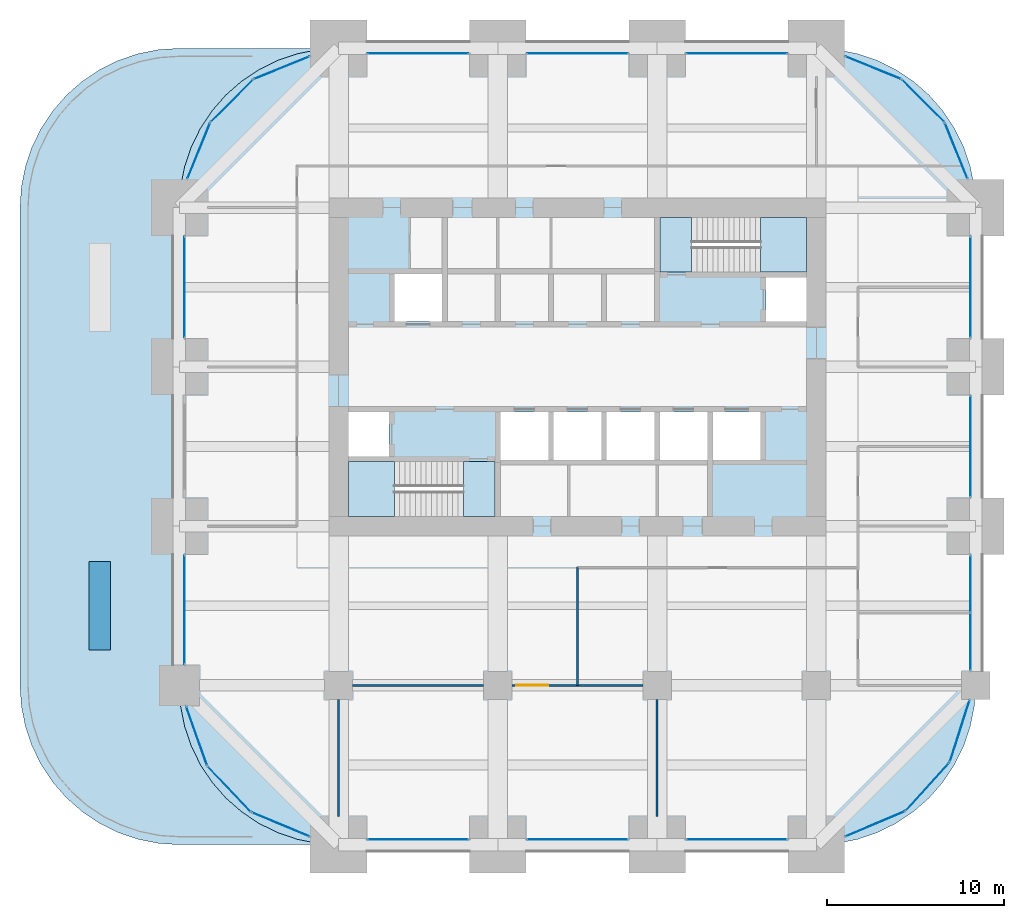
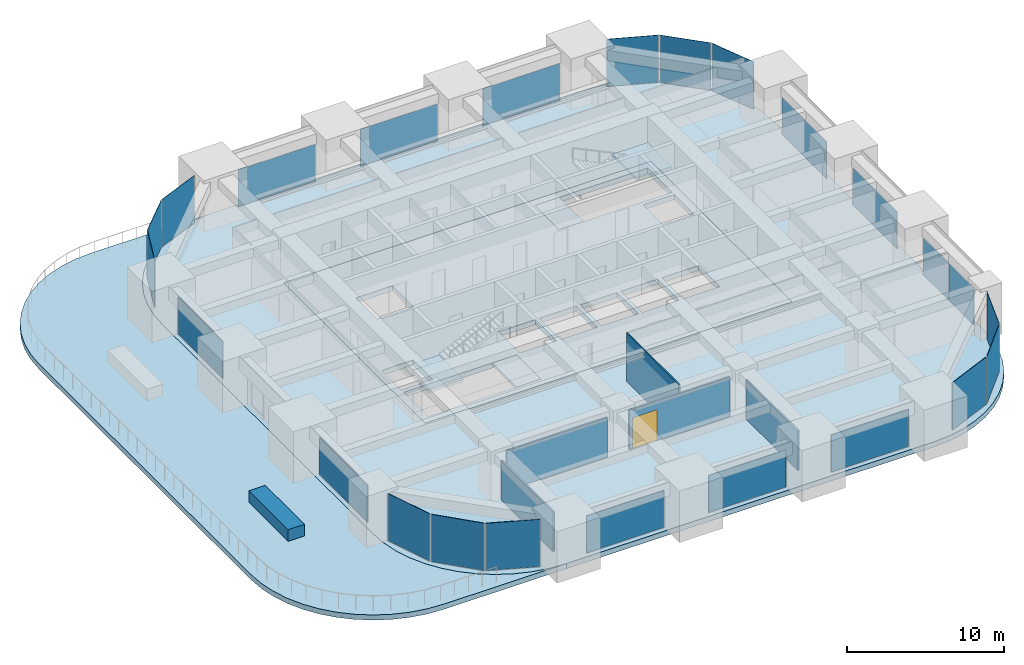
# One storey, part 35 of 40: 24 plates, 7 slabs, 6 walls, 1 door, 1 opening, 25 elements without a shape of their own.
"""IFC4 building model written with IfcOpenShell, lengths in metres."""

from ifc_helpers import new_model, si_unit, direction, frame, frame_2d, origin, origin_2d, place, context, subcontext, project, spatial, polyline, rectangle, outline, extrude, material, layer, layer_set, type_object, element, fill, aggregate, save


model = new_model("IFC4")

# Units and contexts
model_context = context("Model", 3, precision=1e-05, world=origin(), true_north=direction((0.0, 1.0)))
body_context = subcontext(model_context, "Body", "Model", "MODEL_VIEW")
ifc_project = project(units=[si_unit("LENGTHUNIT", "METRE"), si_unit("AREAUNIT", "SQUARE_METRE"), si_unit("VOLUMEUNIT", "CUBIC_METRE"), si_unit("PLANEANGLEUNIT", "RADIAN"), si_unit("MASSUNIT", "GRAM", prefix="KILO")], contexts=[model_context])

# Site, building, storey
site_placement = place(None, origin())
site = spatial("IfcSite", under=ifc_project, at=site_placement, CompositionType="ELEMENT")
building_placement = place(site_placement, origin())
building = spatial("IfcBuilding", under=site, at=building_placement, Name="Zorevar Civic Tower", CompositionType="ELEMENT")
storey_placement = place(building_placement, frame((0.0, 0.0, 239.39990234375)))
storey = spatial("IfcBuildingStorey", under=building, at=storey_placement, Name="L58", CompositionType="ELEMENT", Elevation=239.39990234375)

# Curtain wall, plate
ifc_material_1 = material(Name="Dark grey solar-control glass in black aluminium frame", Category="aluminium")
curtain_wall_type = type_object("IfcCurtainWallType", Name="Curtain wall CW5 top zone", PredefinedType="NOTDEFINED", material=ifc_material_1)
curtain_wall_1_placement = place(storey_placement, origin())
curtain_wall_1 = element("IfcCurtainWall", 1, at=curtain_wall_1_placement, inside=storey, type_object=curtain_wall_type, Name="CW5 L58", PredefinedType="NOTDEFINED")
ifc_material_2 = material(Name="Dark grey solar-control glass", Category="glass")
ifc_layer_1 = layer(ifc_material_2, 0.028076171875)
ifc_layer_set_1 = layer_set([ifc_layer_1], Name="CW5 panel 28")
plate_type = type_object("IfcPlateType", Name="CW5 panel 28", PredefinedType="CURTAIN_PANEL", material=ifc_layer_set_1)
plate_1_placement = place(storey_placement, frame((22.5, 0.300048828125, 0.06005859375), z_axis=(0.0, 0.0, 1.0), x_axis=(1.0, 0.0, 0.0)))
plate_1 = element("IfcPlate", 2, at=plate_1_placement, type_object=plate_type, Name="CW5 panel 1.1", PredefinedType="CURTAIN_PANEL", context=body_context, shape_type="SweptSolid", body=[
    extrude(rectangle(XDim=5.679931640625, YDim=0.028076171875, at=origin_2d()), origin(), (0.0, 0.0, 1.0), 2.889892578125),
])
aggregate(curtain_wall_1, [plate_1])

curtain_wall_2_placement = place(storey_placement, origin())
curtain_wall_2 = element("IfcCurtainWall", 3, at=curtain_wall_2_placement, inside=storey, type_object=curtain_wall_type, Name="CW5 L58", PredefinedType="NOTDEFINED")
plate_2_placement = place(storey_placement, frame((22.5, 44.699951171875, 0.06005859375), z_axis=(0.0, 0.0, 1.0), x_axis=(1.0, 0.0, 0.0)))
plate_2 = element("IfcPlate", 4, at=plate_2_placement, type_object=plate_type, Name="CW5 panel 1.1", PredefinedType="CURTAIN_PANEL", context=body_context, shape_type="SweptSolid", body=[
    extrude(rectangle(XDim=5.679931640625, YDim=0.028076171875, at=origin_2d()), origin(), (0.0, 0.0, 1.0), 2.889892578125),
])
aggregate(curtain_wall_2, [plate_2])

curtain_wall_3_placement = place(storey_placement, origin())
curtain_wall_3 = element("IfcCurtainWall", 5, at=curtain_wall_3_placement, inside=storey, type_object=curtain_wall_type, Name="CW5 L58", PredefinedType="NOTDEFINED")
plate_3_placement = place(storey_placement, frame((31.5, 0.300048828125, 0.06005859375), z_axis=(0.0, 0.0, 1.0), x_axis=(1.0, 0.0, 0.0)))
plate_3 = element("IfcPlate", 6, at=plate_3_placement, type_object=plate_type, Name="CW5 panel 1.1", PredefinedType="CURTAIN_PANEL", context=body_context, shape_type="SweptSolid", body=[
    extrude(rectangle(XDim=5.679931640625, YDim=0.028076171875, at=origin_2d()), origin(), (0.0, 0.0, 1.0), 2.889892578125),
])
aggregate(curtain_wall_3, [plate_3])

curtain_wall_4_placement = place(storey_placement, origin())
curtain_wall_4 = element("IfcCurtainWall", 7, at=curtain_wall_4_placement, inside=storey, type_object=curtain_wall_type, Name="CW5 L58", PredefinedType="NOTDEFINED")
plate_4_placement = place(storey_placement, frame((31.5, 44.699951171875, 0.06005859375), z_axis=(0.0, 0.0, 1.0), x_axis=(1.0, 0.0, 0.0)))
plate_4 = element("IfcPlate", 8, at=plate_4_placement, type_object=plate_type, Name="CW5 panel 1.1", PredefinedType="CURTAIN_PANEL", context=body_context, shape_type="SweptSolid", body=[
    extrude(rectangle(XDim=5.679931640625, YDim=0.028076171875, at=origin_2d()), origin(), (0.0, 0.0, 1.0), 2.889892578125),
])
aggregate(curtain_wall_4, [plate_4])

curtain_wall_5_placement = place(storey_placement, origin())
curtain_wall_5 = element("IfcCurtainWall", 9, at=curtain_wall_5_placement, inside=storey, type_object=curtain_wall_type, Name="CW5 L58", PredefinedType="NOTDEFINED")
plate_5_placement = place(storey_placement, frame((40.5, 0.300048828125, 0.06005859375), z_axis=(0.0, 0.0, 1.0), x_axis=(1.0, 0.0, 0.0)))
plate_5 = element("IfcPlate", 10, at=plate_5_placement, type_object=plate_type, Name="CW5 panel 1.1", PredefinedType="CURTAIN_PANEL", context=body_context, shape_type="SweptSolid", body=[
    extrude(rectangle(XDim=5.679931640625, YDim=0.028076171875, at=origin_2d()), origin(), (0.0, 0.0, 1.0), 2.889892578125),
])
aggregate(curtain_wall_5, [plate_5])

curtain_wall_6_placement = place(storey_placement, origin())
curtain_wall_6 = element("IfcCurtainWall", 11, at=curtain_wall_6_placement, inside=storey, type_object=curtain_wall_type, Name="CW5 L58", PredefinedType="NOTDEFINED")
plate_6_placement = place(storey_placement, frame((40.5, 44.699951171875, 0.06005859375), z_axis=(0.0, 0.0, 1.0), x_axis=(1.0, 0.0, 0.0)))
plate_6 = element("IfcPlate", 12, at=plate_6_placement, type_object=plate_type, Name="CW5 panel 1.1", PredefinedType="CURTAIN_PANEL", context=body_context, shape_type="SweptSolid", body=[
    extrude(rectangle(XDim=5.679931640625, YDim=0.028076171875, at=origin_2d()), origin(), (0.0, 0.0, 1.0), 2.889892578125),
])
aggregate(curtain_wall_6, [plate_6])

curtain_wall_7_placement = place(storey_placement, origin())
curtain_wall_7 = element("IfcCurtainWall", 13, at=curtain_wall_7_placement, inside=storey, type_object=curtain_wall_type, Name="CW5 L58", PredefinedType="NOTDEFINED")
plate_7_placement = place(storey_placement, frame((9.300048828125, 13.27490234375, 0.06005859375), z_axis=(0.0, 0.0, 1.0), x_axis=(0.0, 1.0, 0.0)))
plate_7 = element("IfcPlate", 14, at=plate_7_placement, type_object=plate_type, Name="CW5 panel 1.1", PredefinedType="CURTAIN_PANEL", context=body_context, shape_type="SweptSolid", body=[
    extrude(rectangle(XDim=6.1298828125, YDim=0.028076171875, at=origin_2d()), origin(), (0.0, 0.0, 1.0), 2.889892578125),
])
aggregate(curtain_wall_7, [plate_7])

# Curtain wall, plates
curtain_wall_8_placement = place(storey_placement, origin())
curtain_wall_8 = element("IfcCurtainWall", 15, at=curtain_wall_8_placement, inside=storey, type_object=curtain_wall_type, Name="CW5 L58", PredefinedType="NOTDEFINED")
plate_8_placement = place(storey_placement, frame((53.699951171875, 11.465087890625, 0.06005859375), z_axis=(0.0, 0.0, 1.0), x_axis=(0.0, 1.0, 0.0)))
plate_8 = element("IfcPlate", 16, at=plate_8_placement, type_object=plate_type, Name="CW5 panel 1.1", PredefinedType="CURTAIN_PANEL", context=body_context, shape_type="SweptSolid", body=[
    extrude(rectangle(XDim=3.2099609375, YDim=0.028076171875, at=origin_2d()), origin(), (0.0, 0.0, 1.0), 2.889892578125),
])
plate_9_placement = place(storey_placement, frame((53.699951171875, 14.735107421875, 0.06005859375), z_axis=(0.0, 0.0, 1.0), x_axis=(0.0, 1.0, 0.0)))
plate_9 = element("IfcPlate", 17, at=plate_9_placement, type_object=plate_type, Name="CW5 panel 2.1", PredefinedType="CURTAIN_PANEL", context=body_context, shape_type="SweptSolid", body=[
    extrude(rectangle(XDim=3.2099609375, YDim=0.028076171875, at=origin_2d()), origin(), (0.0, 0.0, 1.0), 2.889892578125),
])
aggregate(curtain_wall_8, [plate_8, plate_9])

# Curtain wall, plate
curtain_wall_9_placement = place(storey_placement, origin())
curtain_wall_9 = element("IfcCurtainWall", 18, at=curtain_wall_9_placement, inside=storey, type_object=curtain_wall_type, Name="CW5 L58", PredefinedType="NOTDEFINED")
plate_10_placement = place(storey_placement, frame((53.699951171875, 22.5, 0.06005859375), z_axis=(0.0, 0.0, 1.0), x_axis=(0.0, 1.0, 0.0)))
plate_10 = element("IfcPlate", 19, at=plate_10_placement, type_object=plate_type, Name="CW5 panel 1.1", PredefinedType="CURTAIN_PANEL", context=body_context, shape_type="SweptSolid", body=[
    extrude(rectangle(XDim=5.679931640625, YDim=0.028076171875, at=origin_2d()), origin(), (0.0, 0.0, 1.0), 2.889892578125),
])
aggregate(curtain_wall_9, [plate_10])

curtain_wall_10_placement = place(storey_placement, origin())
curtain_wall_10 = element("IfcCurtainWall", 20, at=curtain_wall_10_placement, inside=storey, type_object=curtain_wall_type, Name="CW5 L58", PredefinedType="NOTDEFINED")
plate_11_placement = place(storey_placement, frame((9.300048828125, 31.5, 0.06005859375), z_axis=(0.0, 0.0, 1.0), x_axis=(0.0, 1.0, 0.0)))
plate_11 = element("IfcPlate", 21, at=plate_11_placement, type_object=plate_type, Name="CW5 panel 1.1", PredefinedType="CURTAIN_PANEL", context=body_context, shape_type="SweptSolid", body=[
    extrude(rectangle(XDim=5.679931640625, YDim=0.028076171875, at=origin_2d()), origin(), (0.0, 0.0, 1.0), 2.889892578125),
])
aggregate(curtain_wall_10, [plate_11])

curtain_wall_11_placement = place(storey_placement, origin())
curtain_wall_11 = element("IfcCurtainWall", 22, at=curtain_wall_11_placement, inside=storey, type_object=curtain_wall_type, Name="CW5 L58", PredefinedType="NOTDEFINED")
plate_12_placement = place(storey_placement, frame((53.699951171875, 31.5, 0.06005859375), z_axis=(0.0, 0.0, 1.0), x_axis=(0.0, 1.0, 0.0)))
plate_12 = element("IfcPlate", 23, at=plate_12_placement, type_object=plate_type, Name="CW5 panel 1.1", PredefinedType="CURTAIN_PANEL", context=body_context, shape_type="SweptSolid", body=[
    extrude(rectangle(XDim=5.679931640625, YDim=0.028076171875, at=origin_2d()), origin(), (0.0, 0.0, 1.0), 2.889892578125),
])
aggregate(curtain_wall_11, [plate_12])

curtain_wall_12_placement = place(storey_placement, origin())
curtain_wall_12 = element("IfcCurtainWall", 24, at=curtain_wall_12_placement, inside=storey, type_object=curtain_wall_type, Name="CW5 L58", PredefinedType="NOTDEFINED")
plate_13_placement = place(storey_placement, frame((48.31396484375, 1.17431640625, 0.06005859375), z_axis=(0.0, 0.0, 1.0), x_axis=(0.920829589054, 0.389965213734, 0.0)))
plate_13 = element("IfcPlate", 25, at=plate_13_placement, type_object=plate_type, Name="CW5 panel 1.1", PredefinedType="CURTAIN_PANEL", context=body_context, shape_type="SweptSolid", body=[
    extrude(rectangle(XDim=3.602783203125, YDim=0.028076171875, at=origin_2d()), origin(), (0.0, 0.0, 1.0), 3.68994140625),
])
aggregate(curtain_wall_12, [plate_13])

curtain_wall_13_placement = place(storey_placement, origin())
curtain_wall_13 = element("IfcCurtainWall", 26, at=curtain_wall_13_placement, inside=storey, type_object=curtain_wall_type, Name="CW5 L58", PredefinedType="NOTDEFINED")
plate_14_placement = place(storey_placement, frame((51.28173828125, 3.276123046875, 0.06005859375), z_axis=(0.0, 0.0, 1.0), x_axis=(0.673532686252, 0.739157439623, 0.0)))
plate_14 = element("IfcPlate", 27, at=plate_14_placement, type_object=plate_type, Name="CW5 panel 1.1", PredefinedType="CURTAIN_PANEL", context=body_context, shape_type="SweptSolid", body=[
    extrude(rectangle(XDim=3.602783203125, YDim=0.028076171875, at=origin_2d()), origin(), (0.0, 0.0, 1.0), 3.68994140625),
])
aggregate(curtain_wall_13, [plate_14])

curtain_wall_14_placement = place(storey_placement, origin())
curtain_wall_14 = element("IfcCurtainWall", 28, at=curtain_wall_14_placement, inside=storey, type_object=curtain_wall_type, Name="CW5 L58", PredefinedType="NOTDEFINED")
plate_15_placement = place(storey_placement, frame((53.099365234375, 6.426025390625, 0.06005859375), z_axis=(0.0, 0.0, 1.0), x_axis=(0.302858738154, 0.953035458272, 0.0)))
plate_15 = element("IfcPlate", 29, at=plate_15_placement, type_object=plate_type, Name="CW5 panel 1.1", PredefinedType="CURTAIN_PANEL", context=body_context, shape_type="SweptSolid", body=[
    extrude(rectangle(XDim=3.602783203125, YDim=0.028076171875, at=origin_2d()), origin(), (0.0, 0.0, 1.0), 3.68994140625),
])
aggregate(curtain_wall_14, [plate_15])

curtain_wall_15_placement = place(storey_placement, origin())
curtain_wall_15 = element("IfcCurtainWall", 30, at=curtain_wall_15_placement, inside=storey, type_object=curtain_wall_type, Name="CW5 L58", PredefinedType="NOTDEFINED")
plate_16_placement = place(storey_placement, frame((52.90185546875, 39.202880859375, 0.06005859375), z_axis=(0.0, 0.0, 1.0), x_axis=(-0.375650166453, 0.926761540227, 0.0)))
plate_16 = element("IfcPlate", 31, at=plate_16_placement, type_object=plate_type, Name="CW5 panel 1.1", PredefinedType="CURTAIN_PANEL", context=body_context, shape_type="SweptSolid", body=[
    extrude(rectangle(XDim=3.33935546875, YDim=0.028076171875, at=origin_2d()), origin(), (0.0, 0.0, 1.0), 3.68994140625),
])
aggregate(curtain_wall_15, [plate_16])

curtain_wall_16_placement = place(storey_placement, origin())
curtain_wall_16 = element("IfcCurtainWall", 32, at=curtain_wall_16_placement, inside=storey, type_object=curtain_wall_type, Name="CW5 L58", PredefinedType="NOTDEFINED")
plate_17_placement = place(storey_placement, frame((51.029052734375, 42.029052734375, 0.06005859375), z_axis=(0.0, 0.0, 1.0), x_axis=(-0.707106781187, 0.707106781187, 0.0)))
plate_17 = element("IfcPlate", 33, at=plate_17_placement, type_object=plate_type, Name="CW5 panel 1.1", PredefinedType="CURTAIN_PANEL", context=body_context, shape_type="SweptSolid", body=[
    extrude(rectangle(XDim=3.33935546875, YDim=0.028076171875, at=origin_2d()), origin(), (0.0, 0.0, 1.0), 3.68994140625),
])
aggregate(curtain_wall_16, [plate_17])

curtain_wall_17_placement = place(storey_placement, origin())
curtain_wall_17 = element("IfcCurtainWall", 34, at=curtain_wall_17_placement, inside=storey, type_object=curtain_wall_type, Name="CW5 L58", PredefinedType="NOTDEFINED")
plate_18_placement = place(storey_placement, frame((48.202880859375, 43.90185546875, 0.06005859375), z_axis=(0.0, 0.0, 1.0), x_axis=(-0.926761540227, 0.375650166453, 0.0)))
plate_18 = element("IfcPlate", 35, at=plate_18_placement, type_object=plate_type, Name="CW5 panel 1.1", PredefinedType="CURTAIN_PANEL", context=body_context, shape_type="SweptSolid", body=[
    extrude(rectangle(XDim=3.33935546875, YDim=0.028076171875, at=origin_2d()), origin(), (0.0, 0.0, 1.0), 3.68994140625),
])
aggregate(curtain_wall_17, [plate_18])

curtain_wall_18_placement = place(storey_placement, origin())
curtain_wall_18 = element("IfcCurtainWall", 36, at=curtain_wall_18_placement, inside=storey, type_object=curtain_wall_type, Name="CW5 L58", PredefinedType="NOTDEFINED")
plate_19_placement = place(storey_placement, frame((14.797119140625, 43.90185546875, 0.06005859375), z_axis=(0.0, 0.0, 1.0), x_axis=(-0.926761540227, -0.375650166453, 0.0)))
plate_19 = element("IfcPlate", 37, at=plate_19_placement, type_object=plate_type, Name="CW5 panel 1.1", PredefinedType="CURTAIN_PANEL", context=body_context, shape_type="SweptSolid", body=[
    extrude(rectangle(XDim=3.33935546875, YDim=0.028076171875, at=origin_2d()), origin(), (0.0, 0.0, 1.0), 3.68994140625),
])
aggregate(curtain_wall_18, [plate_19])

curtain_wall_19_placement = place(storey_placement, origin())
curtain_wall_19 = element("IfcCurtainWall", 38, at=curtain_wall_19_placement, inside=storey, type_object=curtain_wall_type, Name="CW5 L58", PredefinedType="NOTDEFINED")
plate_20_placement = place(storey_placement, frame((11.970947265625, 42.029052734375, 0.06005859375), z_axis=(0.0, 0.0, 1.0), x_axis=(-0.707106781187, -0.707106781187, 0.0)))
plate_20 = element("IfcPlate", 39, at=plate_20_placement, type_object=plate_type, Name="CW5 panel 1.1", PredefinedType="CURTAIN_PANEL", context=body_context, shape_type="SweptSolid", body=[
    extrude(rectangle(XDim=3.33935546875, YDim=0.028076171875, at=origin_2d()), origin(), (0.0, 0.0, 1.0), 3.68994140625),
])
aggregate(curtain_wall_19, [plate_20])

curtain_wall_20_placement = place(storey_placement, origin())
curtain_wall_20 = element("IfcCurtainWall", 40, at=curtain_wall_20_placement, inside=storey, type_object=curtain_wall_type, Name="CW5 L58", PredefinedType="NOTDEFINED")
plate_21_placement = place(storey_placement, frame((10.09814453125, 39.202880859375, 0.06005859375), z_axis=(0.0, 0.0, 1.0), x_axis=(-0.375650166453, -0.926761540227, 0.0)))
plate_21 = element("IfcPlate", 41, at=plate_21_placement, type_object=plate_type, Name="CW5 panel 1.1", PredefinedType="CURTAIN_PANEL", context=body_context, shape_type="SweptSolid", body=[
    extrude(rectangle(XDim=3.33935546875, YDim=0.028076171875, at=origin_2d()), origin(), (0.0, 0.0, 1.0), 3.68994140625),
])
aggregate(curtain_wall_20, [plate_21])

curtain_wall_21_placement = place(storey_placement, origin())
curtain_wall_21 = element("IfcCurtainWall", 42, at=curtain_wall_21_placement, inside=storey, type_object=curtain_wall_type, Name="CW5 L58", PredefinedType="NOTDEFINED")
plate_22_placement = place(storey_placement, frame((9.98046875, 6.150146484375, 0.06005859375), z_axis=(0.0, 0.0, 1.0), x_axis=(0.334845404696, -0.942273078759, 0.0)))
plate_22 = element("IfcPlate", 43, at=plate_22_placement, type_object=plate_type, Name="CW5 panel 1.1", PredefinedType="CURTAIN_PANEL", context=body_context, shape_type="SweptSolid", body=[
    extrude(rectangle(XDim=3.488037109375, YDim=0.028076171875, at=origin_2d()), origin(), (0.0, 0.0, 1.0), 3.68994140625),
])
aggregate(curtain_wall_21, [plate_22])

curtain_wall_22_placement = place(storey_placement, origin())
curtain_wall_22 = element("IfcCurtainWall", 44, at=curtain_wall_22_placement, inside=storey, type_object=curtain_wall_type, Name="CW5 L58", PredefinedType="NOTDEFINED")
plate_23_placement = place(storey_placement, frame((11.826416015625, 3.1416015625, 0.06005859375), z_axis=(0.0, 0.0, 1.0), x_axis=(0.688344102306, -0.725384309743, 0.0)))
plate_23 = element("IfcPlate", 45, at=plate_23_placement, type_object=plate_type, Name="CW5 panel 1.1", PredefinedType="CURTAIN_PANEL", context=body_context, shape_type="SweptSolid", body=[
    extrude(rectangle(XDim=3.488037109375, YDim=0.028076171875, at=origin_2d()), origin(), (0.0, 0.0, 1.0), 3.68994140625),
])
aggregate(curtain_wall_22, [plate_23])

curtain_wall_23_placement = place(storey_placement, origin())
curtain_wall_23 = element("IfcCurtainWall", 46, at=curtain_wall_23_placement, inside=storey, type_object=curtain_wall_type, Name="CW5 L58", PredefinedType="NOTDEFINED")
plate_24_placement = place(storey_placement, frame((14.734130859375, 1.140625, 0.06005859375), z_axis=(0.0, 0.0, 1.0), x_axis=(0.923446025005, -0.383728339979, 0.0)))
plate_24 = element("IfcPlate", 47, at=plate_24_placement, type_object=plate_type, Name="CW5 panel 1.1", PredefinedType="CURTAIN_PANEL", context=body_context, shape_type="SweptSolid", body=[
    extrude(rectangle(XDim=3.488037109375, YDim=0.028076171875, at=origin_2d()), origin(), (0.0, 0.0, 1.0), 3.68994140625),
])
aggregate(curtain_wall_23, [plate_24])

# Slabs
ifc_material_3 = material(Name="Concrete C40/50", Category="concrete")
ifc_layer_2 = layer(ifc_material_3, 0.39990234375)
ifc_layer_set_2 = layer_set([ifc_layer_2], Name="Floor slab 400")
slab_type_1 = type_object("IfcSlabType", Name="Floor slab 400", PredefinedType="FLOOR", material=ifc_layer_set_2)
slab_1_placement = place(storey_placement, frame((0.0, 0.0, -0.39990234375)))
element("IfcSlab", 48, at=slab_1_placement, inside=storey, type_object=slab_type_1, Name="Floor slab L58", PredefinedType="FLOOR", context=body_context, shape_type="SweptSolid", body=[
    extrude(outline(polyline([(45.0, 0.0), (46.1748046875, 0.076904296875), (47.329345703125, 0.306640625), (48.444091796875, 0.68505859375), (49.5, 1.205810546875), (50.478759765625, 1.85986328125), (51.364013671875, 2.635986328125), (52.14013671875, 3.521240234375), (52.794189453125, 4.5), (53.31494140625, 5.555908203125), (53.693359375, 6.670654296875), (53.923095703125, 7.8251953125), (54.0, 9.0), (54.0, 36.0), (53.923095703125, 37.1748046875), (53.693359375, 38.329345703125), (53.31494140625, 39.444091796875), (52.794189453125, 40.5), (52.14013671875, 41.478759765625), (51.364013671875, 42.364013671875), (50.478759765625, 43.14013671875), (49.5, 43.794189453125), (48.444091796875, 44.31494140625), (47.329345703125, 44.693359375), (46.1748046875, 44.923095703125), (45.0, 45.0), (18.0, 45.0), (16.8251953125, 44.923095703125), (15.670654296875, 44.693359375), (14.555908203125, 44.31494140625), (13.5, 43.794189453125), (12.521240234375, 43.14013671875), (11.635986328125, 42.364013671875), (10.85986328125, 41.478759765625), (10.205810546875, 40.5), (9.68505859375, 39.444091796875), (9.306640625, 38.329345703125), (9.076904296875, 37.1748046875), (9.0, 36.0), (9.0, 9.0), (9.076904296875, 7.8251953125), (9.306640625, 6.670654296875), (9.68505859375, 5.555908203125), (10.205810546875, 4.5), (10.85986328125, 3.521240234375), (11.635986328125, 2.635986328125), (12.521240234375, 1.85986328125), (13.5, 1.205810546875), (14.555908203125, 0.68505859375), (15.670654296875, 0.306640625), (16.8251953125, 0.076904296875), (18.0, 0.0), (45.0, 0.0)]), holes=[polyline([(18.0, 18.0), (45.0, 18.0), (45.0, 36.0), (18.0, 36.0), (18.0, 18.0)])]), origin(), (0.0, 0.0, 1.0), 0.39990234375),
])
slab_2_placement = place(storey_placement, frame((0.0, 0.0, -0.39990234375)))
element("IfcSlab", 49, at=slab_2_placement, inside=storey, type_object=slab_type_1, Name="Core floor L58", PredefinedType="FLOOR", context=body_context, shape_type="SweptSolid", body=[
    extrude(outline(polyline([(18.0, 18.0), (45.0, 18.0), (45.0, 36.0), (18.0, 36.0), (18.0, 18.0)]), holes=[polyline([(18.550048828125, 18.550048828125), (26.85009765625, 18.550048828125), (26.85009765625, 21.64990234375), (18.550048828125, 21.64990234375), (18.550048828125, 18.550048828125)]), polyline([(36.14990234375, 32.35009765625), (44.449951171875, 32.35009765625), (44.449951171875, 35.449951171875), (36.14990234375, 35.449951171875), (36.14990234375, 32.35009765625)]), polyline([(18.550048828125, 21.949951171875), (20.85009765625, 21.949951171875), (20.85009765625, 24.449951171875), (18.550048828125, 24.449951171875), (18.550048828125, 21.949951171875)]), polyline([(42.14990234375, 29.550048828125), (44.449951171875, 29.550048828125), (44.449951171875, 32.050048828125), (42.14990234375, 32.050048828125), (42.14990234375, 29.550048828125)]), polyline([(27.14990234375, 21.75), (29.85009765625, 21.75), (29.85009765625, 24.449951171875), (27.14990234375, 24.449951171875), (27.14990234375, 21.75)]), polyline([(30.14990234375, 21.75), (32.85009765625, 21.75), (32.85009765625, 24.449951171875), (30.14990234375, 24.449951171875), (30.14990234375, 21.75)]), polyline([(33.14990234375, 21.75), (35.85009765625, 21.75), (35.85009765625, 24.449951171875), (33.14990234375, 24.449951171875), (33.14990234375, 21.75)]), polyline([(36.14990234375, 21.75), (38.85009765625, 21.75), (38.85009765625, 24.449951171875), (36.14990234375, 24.449951171875), (36.14990234375, 21.75)]), polyline([(39.14990234375, 21.75), (41.85009765625, 21.75), (41.85009765625, 24.449951171875), (39.14990234375, 24.449951171875), (39.14990234375, 21.75)]), polyline([(21.14990234375, 29.550048828125), (23.85009765625, 29.550048828125), (23.85009765625, 32.25), (21.14990234375, 32.25), (21.14990234375, 29.550048828125)])]), origin(), (0.0, 0.0, 1.0), 0.39990234375),
])

# Stair, slabs
ifc_material_4 = material(Name="Precast concrete C40/50", Category="concrete")
stair_type = type_object("IfcStairType", Name="Stair ST 28R", PredefinedType="HALF_TURN_STAIR", material=ifc_material_4)
stair_1_placement = place(storey_placement, origin())
stair_1 = element("IfcStair", 50, at=stair_1_placement, inside=storey, type_object=stair_type, Name="Stair ST1 L58", PredefinedType="HALF_TURN_STAIR")
ifc_material_5 = material(Name="Concrete C40/50", Category="concrete")
ifc_layer_3 = layer(ifc_material_5, 0.199951171875)
ifc_layer_set_3 = layer_set([ifc_layer_3], Name="Stair landing 200")
slab_type_2 = type_object("IfcSlabType", Name="Stair landing 200", PredefinedType="LANDING", material=ifc_layer_set_3)
slab_3_placement = place(storey_placement, frame((0.0, 0.0, -0.199951171875)))
slab_3 = element("IfcSlab", 51, at=slab_3_placement, type_object=slab_type_2, Name="ST1 landing 1", PredefinedType="LANDING", context=body_context, shape_type="SweptSolid", body=[
    extrude(outline(polyline([(25.050048828125, 18.550048828125), (26.85009765625, 18.550048828125), (26.85009765625, 21.64990234375), (25.050048828125, 21.64990234375), (25.050048828125, 18.550048828125)])), origin(), (0.0, 0.0, 1.0), 0.199951171875),
])
slab_4_placement = place(storey_placement, frame((0.0, 0.0, 1.800048828125)))
slab_4 = element("IfcSlab", 52, at=slab_4_placement, type_object=slab_type_2, Name="ST1 landing 2", PredefinedType="LANDING", context=body_context, shape_type="SweptSolid", body=[
    extrude(outline(polyline([(18.550048828125, 18.550048828125), (21.14990234375, 18.550048828125), (21.14990234375, 21.64990234375), (18.550048828125, 21.64990234375), (18.550048828125, 18.550048828125)])), origin(), (0.0, 0.0, 1.0), 0.199951171875),
])
aggregate(stair_1, [slab_3, slab_4])

stair_2_placement = place(storey_placement, origin())
stair_2 = element("IfcStair", 53, at=stair_2_placement, inside=storey, type_object=stair_type, Name="Stair ST2 L58", PredefinedType="HALF_TURN_STAIR")
slab_5_placement = place(storey_placement, frame((0.0, 0.0, -0.199951171875)))
slab_5 = element("IfcSlab", 54, at=slab_5_placement, type_object=slab_type_2, Name="ST2 landing 1", PredefinedType="LANDING", context=body_context, shape_type="SweptSolid", body=[
    extrude(outline(polyline([(37.949951171875, 32.35009765625), (36.14990234375, 32.35009765625), (36.14990234375, 35.449951171875), (37.949951171875, 35.449951171875), (37.949951171875, 32.35009765625)])), origin(), (0.0, 0.0, 1.0), 0.199951171875),
])
slab_6_placement = place(storey_placement, frame((0.0, 0.0, 1.800048828125)))
slab_6 = element("IfcSlab", 55, at=slab_6_placement, type_object=slab_type_2, Name="ST2 landing 2", PredefinedType="LANDING", context=body_context, shape_type="SweptSolid", body=[
    extrude(outline(polyline([(44.449951171875, 32.35009765625), (41.85009765625, 32.35009765625), (41.85009765625, 35.449951171875), (44.449951171875, 35.449951171875), (44.449951171875, 32.35009765625)])), origin(), (0.0, 0.0, 1.0), 0.199951171875),
])
aggregate(stair_2, [slab_5, slab_6])

# Slab
ifc_material_6 = material(Name="Concrete C40/50", Category="concrete")
ifc_layer_4 = layer(ifc_material_6, 0.39990234375)
ifc_layer_set_4 = layer_set([ifc_layer_4], Name="Terrace slab 400")
slab_type_3 = type_object("IfcSlabType", Name="Terrace slab 400", PredefinedType="ROOF", material=ifc_layer_set_4)
slab_7_placement = place(storey_placement, frame((0.0, 0.0, -0.39990234375)))
element("IfcSlab", 56, at=slab_7_placement, inside=storey, type_object=slab_type_3, Name="Terrace slab L58", PredefinedType="ROOF", context=body_context, shape_type="SweptSolid", body=[
    extrude(outline(polyline([(9.0, 0.0), (7.8251953125, 0.076904296875), (6.670654296875, 0.306640625), (5.555908203125, 0.68505859375), (4.5, 1.205810546875), (3.521240234375, 1.85986328125), (2.635986328125, 2.635986328125), (1.85986328125, 3.521240234375), (1.205810546875, 4.5), (0.68505859375, 5.555908203125), (0.306640625, 6.670654296875), (0.076904296875, 7.8251953125), (0.0, 9.0), (0.0, 36.0), (0.076904296875, 37.1748046875), (0.306640625, 38.329345703125), (0.68505859375, 39.444091796875), (1.205810546875, 40.5), (1.85986328125, 41.478759765625), (2.635986328125, 42.364013671875), (3.521240234375, 43.14013671875), (4.5, 43.794189453125), (5.555908203125, 44.31494140625), (6.670654296875, 44.693359375), (7.8251953125, 44.923095703125), (9.0, 45.0), (18.0, 45.0), (16.8251953125, 44.923095703125), (15.670654296875, 44.693359375), (14.555908203125, 44.31494140625), (13.5, 43.794189453125), (12.521240234375, 43.14013671875), (11.635986328125, 42.364013671875), (10.85986328125, 41.478759765625), (10.205810546875, 40.5), (9.68505859375, 39.444091796875), (9.306640625, 38.329345703125), (9.076904296875, 37.1748046875), (9.0, 36.0), (9.0, 9.0), (9.076904296875, 7.8251953125), (9.306640625, 6.670654296875), (9.68505859375, 5.555908203125), (10.205810546875, 4.5), (10.85986328125, 3.521240234375), (11.635986328125, 2.635986328125), (12.521240234375, 1.85986328125), (13.5, 1.205810546875), (14.555908203125, 0.68505859375), (15.670654296875, 0.306640625), (16.8251953125, 0.076904296875), (18.0, 0.0), (9.0, 0.0)])), origin(), (0.0, 0.0, 1.0), 0.39990234375),
])

# Walls
ifc_material_7 = material(Name="Laminated glass in black aluminium frame", Category="aluminium")
ifc_layer_5 = layer(ifc_material_7, 0.10009765625)
ifc_layer_set_5 = layer_set([ifc_layer_5], Name="Glazed partition 100")
wall_type_1 = type_object("IfcWallType", Name="Glazed partition 100", PredefinedType="PARTITIONING", material=ifc_layer_set_5)
wall_1_placement = place(storey_placement, frame((31.5, 8.989990234375, 0.0), z_axis=(0.0, 0.0, 1.0), x_axis=(0.0, 1.0, 0.0)))
element("IfcWall", 57, at=wall_1_placement, inside=storey, type_object=wall_type_1, Name="Glazed partition 100 L58", PredefinedType="PARTITIONING", context=body_context, shape_type="SweptSolid", body=[
    extrude(rectangle(XDim=6.659912109375, YDim=0.10009765625, at=frame_2d((3.330078125, 0.0))), origin(), (0.0, 0.0, 1.0), 3.75),
])
ifc_material_8 = material(Name="Gypsum board on steel studs", Category="steel")
ifc_layer_6 = layer(ifc_material_8, 0.1201171875)
ifc_layer_set_6 = layer_set([ifc_layer_6], Name="Partition 120")
wall_type_2 = type_object("IfcWallType", Name="Partition 120", PredefinedType="PARTITIONING", material=ifc_layer_set_6)
wall_2_placement = place(storey_placement, frame((18.800048828125, 9.0, 0.0), z_axis=(0.0, 0.0, 1.0), x_axis=(1.0, 0.0, 0.0)))
element("IfcWall", 58, at=wall_2_placement, inside=storey, type_object=wall_type_2, Name="Partition 120 L58", PredefinedType="PARTITIONING", context=body_context, shape_type="SweptSolid", body=[
    extrude(rectangle(XDim=7.39990234375, YDim=0.1201171875, at=frame_2d((3.699951171875, 0.0))), origin(), (0.0, 0.0, 1.0), 3.050048828125),
])

# Wall, opening, door
wall_3_placement = place(storey_placement, frame((27.800048828125, 9.0, 0.0), z_axis=(0.0, 0.0, 1.0), x_axis=(1.0, 0.0, 0.0)))
wall_3 = element("IfcWall", 59, at=wall_3_placement, inside=storey, type_object=wall_type_2, Name="Partition 120 L58", PredefinedType="PARTITIONING", context=body_context, shape_type="SweptSolid", body=[
    extrude(rectangle(XDim=7.39990234375, YDim=0.1201171875, at=frame_2d((3.699951171875, 0.0))), origin(), (0.0, 0.0, 1.0), 3.050048828125),
])
opening_placement = place(wall_3_placement, frame((0.25, 0.0, 0.0)))
opening = element("IfcOpeningElement", 60, at=opening_placement, cuts=wall_3, Name="Opening L58.17", PredefinedType="OPENING", context=body_context, shape_type="SweptSolid", body=[
    extrude(rectangle(XDim=1.800048828125, YDim=2.39990234375, at=frame_2d((0.89990234375, 1.199951171875))), frame((0.0, 0.070068359375, 0.0), z_axis=(0.0, -1.0, 0.0), x_axis=(1.0, 0.0, 0.0)), (0.0, 0.0, 1.0), 0.14013671875),
])
ifc_material_9 = material(Name="Steel door set", Category="steel")
door_type = type_object("IfcDoorType", Name="Door D2 1800x2400", OperationType="DOUBLE_DOOR_SINGLE_SWING", PredefinedType="DOOR", material=ifc_material_9)
door_placement = place(opening_placement, origin())
door = element("IfcDoor", 61, at=door_placement, inside=storey, type_object=door_type, Name="Door L58 D1", OperationType="DOUBLE_DOOR_SINGLE_SWING", OverallHeight=2.39990234375, OverallWidth=1.800048828125, PredefinedType="DOOR", context=body_context, shape_type="SweptSolid", body=[
    extrude(rectangle(XDim=1.800048828125, YDim=2.39990234375, at=frame_2d((0.89990234375, 1.199951171875))), frame((0.0, 0.02490234375, 0.0), z_axis=(0.0, -1.0, 0.0), x_axis=(1.0, 0.0, 0.0)), (0.0, 0.0, 1.0), 0.050048828125),
])
fill(opening, door)

# Walls
for number, where, z_axis, x_axis, name in (
    (62, (18.0, 1.60009765625, 0.0), (0.0, 0.0, 1.0), (0.0, 1.0, 0.0), "Partition 120 L58"),
    (63, (36.0, 1.60009765625, 0.0), (0.0, 0.0, 1.0), (0.0, 1.0, 0.0), "Partition 120 L58"),
):
    element("IfcWall", number, at=place(storey_placement, frame(where, z_axis=z_axis, x_axis=x_axis)), inside=storey, type_object=wall_type_2, Name=name, PredefinedType="PARTITIONING", context=body_context, shape_type="SweptSolid", body=[
        extrude(rectangle(XDim=6.599853515625, YDim=0.1201171875, at=frame_2d((3.2998046875, 0.0))), origin(), (0.0, 0.0, 1.0), 3.050048828125),
    ])
ifc_material_10 = material(Name="Precast concrete planter", Category="concrete")
ifc_layer_7 = layer(ifc_material_10, 1.199951171875)
ifc_layer_set_7 = layer_set([ifc_layer_7], Name="Planter PL1 1200")
wall_type_3 = type_object("IfcWallType", Name="Planter PL1 1200", PredefinedType="USERDEFINED", material=ifc_layer_set_7)
wall_4_placement = place(storey_placement, frame((4.5, 11.0, 0.0), z_axis=(0.0, 0.0, 1.0), x_axis=(0.0, 1.0, 0.0)))
element("IfcWall", 64, at=wall_4_placement, inside=storey, type_object=wall_type_3, Name="Planter L58", ObjectType="PLANTER", PredefinedType="USERDEFINED", context=body_context, shape_type="SweptSolid", body=[
    extrude(rectangle(XDim=5.0, YDim=1.199951171875, at=frame_2d((2.5, 0.0))), origin(), (0.0, 0.0, 1.0), 0.900146484375),
])

save(model, "model.ifc")
